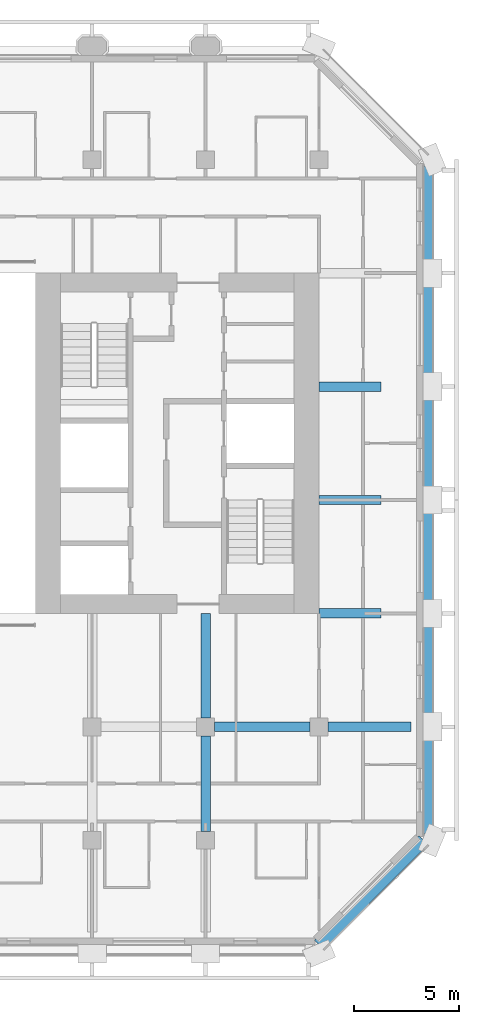
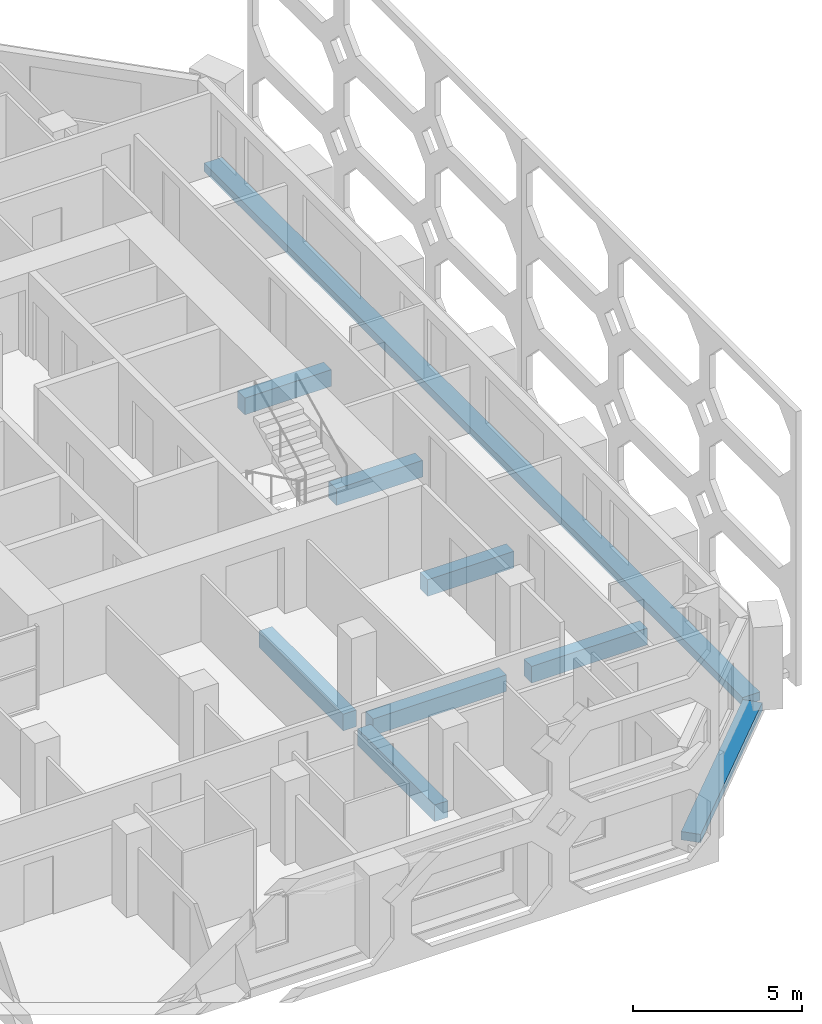
# One storey, part 3 of 14: 9 beams.
"""IFC4 building model written with IfcOpenShell, lengths in metres."""

from ifc_helpers import new_model, si_unit, direction, frame, origin, origin_2d, place, context, subcontext, project, spatial, rectangle, extrude, material, material_profile, profile_set, type_object, element, save


model = new_model("IFC4")

# Units and contexts
model_context = context("Model", 3, precision=1e-05, world=origin(), true_north=direction((0.0, 1.0)))
body_context = subcontext(model_context, "Body", "Model", "MODEL_VIEW")
ifc_project = project(units=[si_unit("LENGTHUNIT", "METRE"), si_unit("AREAUNIT", "SQUARE_METRE"), si_unit("VOLUMEUNIT", "CUBIC_METRE"), si_unit("PLANEANGLEUNIT", "RADIAN"), si_unit("MASSUNIT", "GRAM", prefix="KILO")], contexts=[model_context])

# Site, building, storey
site_placement = place(None, origin())
site = spatial("IfcSite", under=ifc_project, at=site_placement, CompositionType="ELEMENT")
building_placement = place(site_placement, origin())
building = spatial("IfcBuilding", under=site, at=building_placement, Name="Tabaq Tower and Sports Hall", CompositionType="ELEMENT")
storey_placement = place(building_placement, frame((0.0, 0.0, 166.0)))
storey = spatial("IfcBuildingStorey", under=building, at=storey_placement, Name="L39", CompositionType="ELEMENT", Elevation=166.0)

# Beams
ifc_material_1 = material(Name="Concrete C40/50", Category="concrete")
ifc_material_profile_1 = material_profile(ifc_material_1, rectangle(XDim=0.449951171875, YDim=0.60009765625, at=origin_2d()), Name="CB 450x600")
ifc_profile_set_1 = profile_set([ifc_material_profile_1], Name="Concrete C40/50")
beam_type_1 = type_object("IfcBeamType", Name="PT CANTILEVER BEAM CB 450x600 C40/50", PredefinedType="BEAM", material=ifc_profile_set_1)
beam_1_placement = place(storey_placement, frame((47.574951171875, 10.800048828125, -0.60009765625), z_axis=(-1.0, 0.0, 0.0), x_axis=(0.0, -1.0, 0.0)))
element("IfcBeam", 1, at=beam_1_placement, inside=storey, type_object=beam_type_1, Name="Cantilever Beam L39 E2 span 1", PredefinedType="BEAM", context=body_context, shape_type="SweptSolid", body=[
    extrude(rectangle(XDim=0.449951171875, YDim=0.60009765625, at=origin_2d()), origin(), (0.0, 0.0, 1.0), 3.949951171875),
])
beam_2_placement = place(storey_placement, frame((42.77490234375, 10.800048828125, -0.60009765625), z_axis=(-1.0, 0.0, 0.0), x_axis=(0.0, -1.0, 0.0)))
element("IfcBeam", 2, at=beam_2_placement, inside=storey, type_object=beam_type_1, Name="Cantilever Beam L39 E2 span 2", PredefinedType="BEAM", context=body_context, shape_type="SweptSolid", body=[
    extrude(rectangle(XDim=0.449951171875, YDim=0.60009765625, at=origin_2d()), origin(), (0.0, 0.0, 1.0), 4.5498046875),
])
for number, where, z_axis, x_axis, name in (
    (3, (46.14990234375, 16.199951171875, -0.60009765625), (-1.0, 0.0, 0.0), (0.0, -1.0, 0.0), "Cantilever Beam L39 E3 span 1"),
    (4, (46.14990234375, 21.60009765625, -0.60009765625), (-1.0, 0.0, 0.0), (0.0, -1.0, 0.0), "Cantilever Beam L39 E4 span 1"),
    (5, (46.14990234375, 27.0, -0.60009765625), (-1.0, 0.0, 0.0), (0.0, -1.0, 0.0), "Cantilever Beam L39 E5 span 1"),
):
    element("IfcBeam", number, at=place(storey_placement, frame(where, z_axis=z_axis, x_axis=x_axis)), inside=storey, type_object=beam_type_1, Name=name, PredefinedType="BEAM", context=body_context, shape_type="SweptSolid", body=[
        extrude(rectangle(XDim=0.449951171875, YDim=0.60009765625, at=origin_2d()), origin(), (0.0, 0.0, 1.0), 2.949951171875),
    ])
beam_3_placement = place(storey_placement, frame((37.800048828125, 5.824951171875, -0.60009765625), z_axis=(0.0, 1.0, 0.0), x_axis=(-1.0, 0.0, 0.0)))
element("IfcBeam", 6, at=beam_3_placement, inside=storey, type_object=beam_type_1, Name="Cantilever Beam L39 S7 span 2", PredefinedType="BEAM", context=body_context, shape_type="SweptSolid", body=[
    extrude(rectangle(XDim=0.449951171875, YDim=0.60009765625, at=origin_2d()), origin(), (0.0, 0.0, 1.0), 4.550048828125),
])
beam_4_placement = place(storey_placement, frame((37.800048828125, 11.22509765625, -0.60009765625), z_axis=(0.0, 1.0, 0.0), x_axis=(-1.0, 0.0, 0.0)))
element("IfcBeam", 7, at=beam_4_placement, inside=storey, type_object=beam_type_1, Name="Cantilever Beam L39 S7 span 3", PredefinedType="BEAM", context=body_context, shape_type="SweptSolid", body=[
    extrude(rectangle(XDim=0.449951171875, YDim=0.60009765625, at=origin_2d()), origin(), (0.0, 0.0, 1.0), 4.974853515625),
])
ifc_material_2 = material(Name="Concrete C40/50", Category="concrete")
ifc_material_profile_2 = material_profile(ifc_material_2, rectangle(XDim=0.60009765625, YDim=0.300048828125, at=origin_2d()), Name="EB 600x300")
ifc_profile_set_2 = profile_set([ifc_material_profile_2], Name="Concrete C40/50")
beam_type_2 = type_object("IfcBeamType", Name="PT EDGE BEAM EB 600x300 C40/50", PredefinedType="SPANDREL", material=ifc_profile_set_2)
beam_5_placement = place(storey_placement, frame((43.198974609375, 0.42333984375, -0.14990234375), z_axis=(0.707106781187, 0.707106781187, 0.0), x_axis=(-0.707106781187, 0.707106781187, 0.0)))
element("IfcBeam", 8, at=beam_5_placement, inside=storey, type_object=beam_type_2, Name="Edge Beam L39 2", PredefinedType="SPANDREL", context=body_context, shape_type="SweptSolid", body=[
    extrude(rectangle(XDim=0.60009765625, YDim=0.300048828125, at=origin_2d()), origin(), (0.0, 0.0, 1.0), 7.03955078125),
])
beam_6_placement = place(storey_placement, frame((48.300048828125, 5.698486328125, -0.14990234375), z_axis=(0.0, 1.0, 0.0), x_axis=(-1.0, 0.0, 0.0)))
element("IfcBeam", 9, at=beam_6_placement, inside=storey, type_object=beam_type_2, Name="Edge Beam L39 3", PredefinedType="SPANDREL", context=body_context, shape_type="SweptSolid", body=[
    extrude(rectangle(XDim=0.60009765625, YDim=0.300048828125, at=origin_2d()), origin(), (0.0, 0.0, 1.0), 31.802978515625),
])

save(model, "model.ifc")
